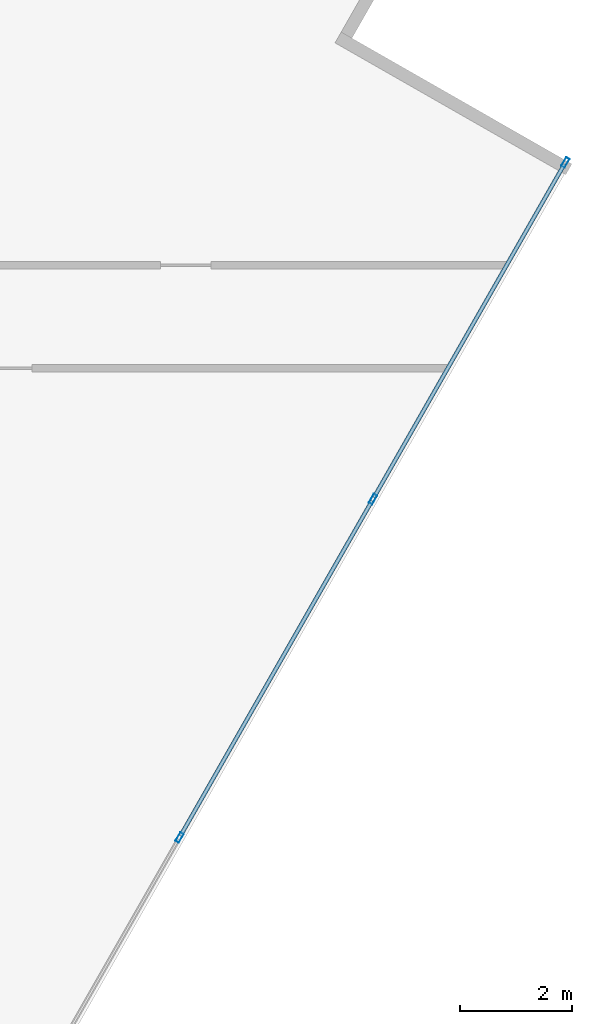
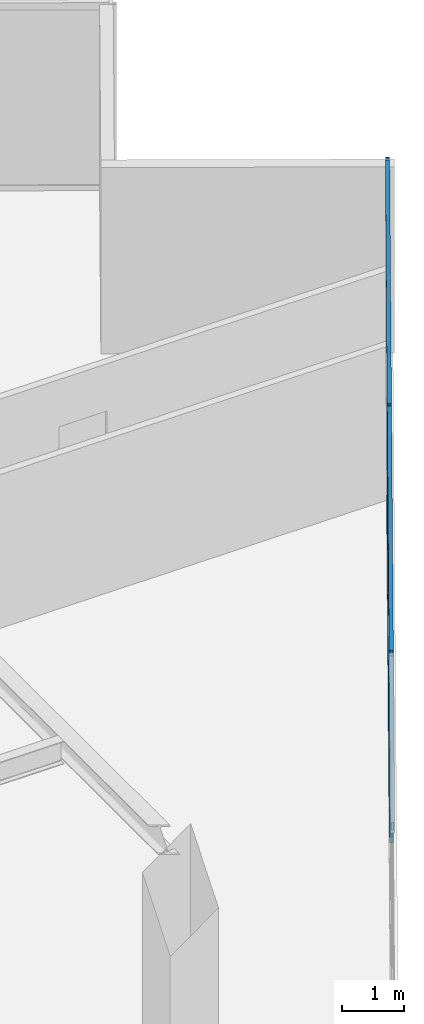
# One storey, part 11 of 24: 7 members, 1 element without a shape of its own.
"""IFC4 building model written with IfcOpenShell, lengths in metres."""

from ifc_helpers import new_model, si_unit, direction, frame, origin, origin_2d, place, context, subcontext, project, spatial, hollow_rectangle, extrude, source, transform, mapped, material, material_profile, profile_set, type_object, type_shapes, element, aggregate, save


model = new_model("IFC4")

# Units and contexts
model_context = context("Model", 3, precision=1e-05, world=origin(), true_north=direction((0.0, 1.0)))
body_context = subcontext(model_context, "Body", "Model", "MODEL_VIEW")
ifc_project = project(units=[si_unit("LENGTHUNIT", "METRE"), si_unit("AREAUNIT", "SQUARE_METRE"), si_unit("VOLUMEUNIT", "CUBIC_METRE"), si_unit("PLANEANGLEUNIT", "RADIAN"), si_unit("MASSUNIT", "GRAM", prefix="KILO")], contexts=[model_context])

# Site, building, storey
site_placement = place(None, origin())
site = spatial("IfcSite", under=ifc_project, at=site_placement, CompositionType="ELEMENT")
building_placement = place(site_placement, origin())
building = spatial("IfcBuilding", under=site, at=building_placement, Name="Krantzveldt Concourse Tower", CompositionType="ELEMENT")
storey_placement = place(building_placement, frame((0.0, 0.0, 162.0)))
storey = spatial("IfcBuildingStorey", under=building, at=storey_placement, Name="L39", CompositionType="ELEMENT", Elevation=162.0)

# Curtain wall, members
ifc_material = material(Name="Anodised aluminium 6063-T6", Category="aluminium")
curtain_wall_type = type_object("IfcCurtainWallType", Name="CW3", PredefinedType="USERDEFINED", material=ifc_material)
curtain_wall_placement = place(storey_placement, origin())
curtain_wall = element("IfcCurtainWall", 1, at=curtain_wall_placement, inside=storey, type_object=curtain_wall_type, Name="CW-L39-F11", ObjectType="UNITISED CURTAIN WALL", PredefinedType="USERDEFINED")
ifc_material_profile_1 = material_profile(ifc_material, hollow_rectangle(XDim=0.070068359375, YDim=0.179931640625, WallThickness=0.0048828125, at=origin_2d()), Name="Anodised aluminium 6063-T6", Category="aluminium")
ifc_profile_set_1 = profile_set([ifc_material_profile_1], Name="Anodised aluminium 6063-T6 - ALU-MULL 180x70x5")
member_type_1 = type_object("IfcMemberType", Name="CW-MUL-180", PredefinedType="MULLION", material=ifc_profile_set_1)
shared_shape_1 = source(origin(), body_context, "Body", "SweptSolid", [
    extrude(hollow_rectangle(XDim=0.070068359375, YDim=0.179931640625, WallThickness=0.0048828125, at=origin_2d()), origin(), (0.0, 0.0, 1.0), 3.669921875),
])
type_shapes(member_type_1, [shared_shape_1])
member_1_placement = place(storey_placement, frame((56.662353515625, 18.89892578125, 0.0), z_axis=(0.0, 0.0, 1.0), x_axis=(-0.868198876949, 0.496216394392, 0.0)))
member_1 = element("IfcMember", 2, at=member_1_placement, type_object=member_type_1, Name="CW-Z34 mullion 4", PredefinedType="MULLION", context=body_context, shape_type="MappedRepresentation", body=[
    mapped(shared_shape_1, transform((0.0, 0.0, 0.0), x_axis=(1.0, 0.0, 0.0), y_axis=(0.0, 1.0, 0.0), z_axis=(0.0, 0.0, 1.0), scale=1.0)),
])
member_2_placement = place(storey_placement, frame((60.115966796875, 24.94140625, 0.0), z_axis=(0.0, 0.0, 1.0), x_axis=(-0.868198876949, 0.496216394392, 0.0)))
member_2 = element("IfcMember", 3, at=member_2_placement, type_object=member_type_1, Name="CW-Z34 mullion 5", PredefinedType="MULLION", context=body_context, shape_type="MappedRepresentation", body=[
    mapped(shared_shape_1, transform((0.0, 0.0, 0.0), x_axis=(1.0, 0.0, 0.0), y_axis=(0.0, 1.0, 0.0), z_axis=(0.0, 0.0, 1.0), scale=1.0)),
])
member_3_placement = place(storey_placement, frame((63.55224609375, 30.953857421875, 0.0), z_axis=(0.0, 0.0, 1.0), x_axis=(-0.868198876949, 0.496216394392, 0.0)))
member_3 = element("IfcMember", 4, at=member_3_placement, type_object=member_type_1, Name="CW-Z34 mullion 6", PredefinedType="MULLION", context=body_context, shape_type="MappedRepresentation", body=[
    mapped(shared_shape_1, transform((0.0, 0.0, 0.0), x_axis=(1.0, 0.0, 0.0), y_axis=(0.0, 1.0, 0.0), z_axis=(0.0, 0.0, 1.0), scale=1.0)),
])
ifc_material_profile_2 = material_profile(ifc_material, hollow_rectangle(XDim=0.070068359375, YDim=0.139892578125, WallThickness=0.0048828125, at=origin_2d()), Name="Anodised aluminium 6063-T6", Category="aluminium")
ifc_profile_set_2 = profile_set([ifc_material_profile_2], Name="Anodised aluminium 6063-T6 - ALU-TRAN 140x70x5")
member_type_2 = type_object("IfcMemberType", Name="CW-TRN-150", PredefinedType="USERDEFINED", material=ifc_profile_set_2)
shared_shape_2 = source(origin(), body_context, "Body", "SweptSolid", [
    extrude(hollow_rectangle(XDim=0.070068359375, YDim=0.139892578125, WallThickness=0.0048828125, at=origin_2d()), origin(), (0.0, 0.0, 1.0), 6.85498046875),
])
member_4_placement = place(storey_placement, frame((60.13330078125, 24.971923828125, 0.034912109375), z_axis=(0.496227152008, 0.868192728379, 0.0), x_axis=(-0.868192728379, 0.496227152008, 0.0)))
member_4 = element("IfcMember", 5, at=member_4_placement, type_object=member_type_2, Name="CW-Z34 transom 5.1", ObjectType="TRANSOM", PredefinedType="USERDEFINED", context=body_context, shape_type="MappedRepresentation", body=[
    mapped(shared_shape_2, transform((0.0, 0.0, 0.0), x_axis=(1.0, 0.0, 0.0), y_axis=(0.0, 1.0, 0.0), z_axis=(0.0, 0.0, 1.0), scale=1.0)),
])
member_5_placement = place(storey_placement, frame((60.13330078125, 24.971923828125, 3.635009765625), z_axis=(0.496227152008, 0.868192728379, 0.0), x_axis=(-0.868192728379, 0.496227152008, 0.0)))
member_5 = element("IfcMember", 6, at=member_5_placement, type_object=member_type_2, Name="CW-Z34 transom 5.2", ObjectType="TRANSOM", PredefinedType="USERDEFINED", context=body_context, shape_type="MappedRepresentation", body=[
    mapped(shared_shape_2, transform((0.0, 0.0, 0.0), x_axis=(1.0, 0.0, 0.0), y_axis=(0.0, 1.0, 0.0), z_axis=(0.0, 0.0, 1.0), scale=1.0)),
])
shared_shape_3 = source(origin(), body_context, "Body", "SweptSolid", [
    extrude(hollow_rectangle(XDim=0.070068359375, YDim=0.139892578125, WallThickness=0.0048828125, at=origin_2d()), origin(), (0.0, 0.0, 1.0), 6.89013671875),
])
type_shapes(member_type_2, [shared_shape_2, shared_shape_3])
member_6_placement = place(storey_placement, frame((56.6796875, 18.92919921875, 0.034912109375), z_axis=(0.496215255443, 0.868199527911, 0.0), x_axis=(-0.868199527911, 0.496215255443, 0.0)))
member_6 = element("IfcMember", 7, at=member_6_placement, type_object=member_type_2, Name="CW-Z34 transom 4.1", ObjectType="TRANSOM", PredefinedType="USERDEFINED", context=body_context, shape_type="MappedRepresentation", body=[
    mapped(shared_shape_3, transform((0.0, 0.0, 0.0), x_axis=(1.0, 0.0, 0.0), y_axis=(0.0, 1.0, 0.0), z_axis=(0.0, 0.0, 1.0), scale=1.0)),
])
member_7_placement = place(storey_placement, frame((56.6796875, 18.92919921875, 3.635009765625), z_axis=(0.496215255443, 0.868199527911, 0.0), x_axis=(-0.868199527911, 0.496215255443, 0.0)))
member_7 = element("IfcMember", 8, at=member_7_placement, type_object=member_type_2, Name="CW-Z34 transom 4.2", ObjectType="TRANSOM", PredefinedType="USERDEFINED", context=body_context, shape_type="MappedRepresentation", body=[
    mapped(shared_shape_3, transform((0.0, 0.0, 0.0), x_axis=(1.0, 0.0, 0.0), y_axis=(0.0, 1.0, 0.0), z_axis=(0.0, 0.0, 1.0), scale=1.0)),
])
aggregate(curtain_wall, [member_1, member_2, member_3, member_6, member_7, member_4, member_5])

save(model, "model.ifc")
